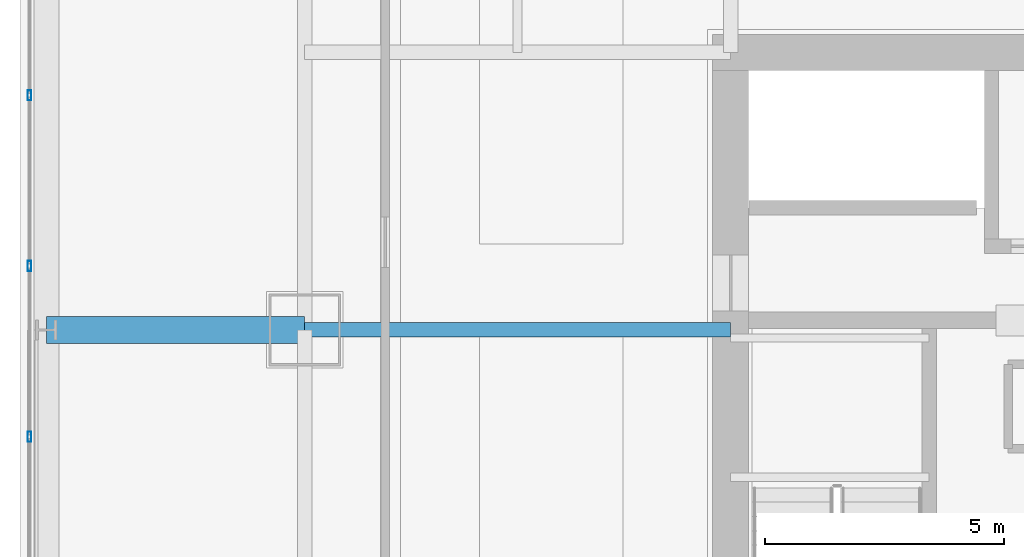
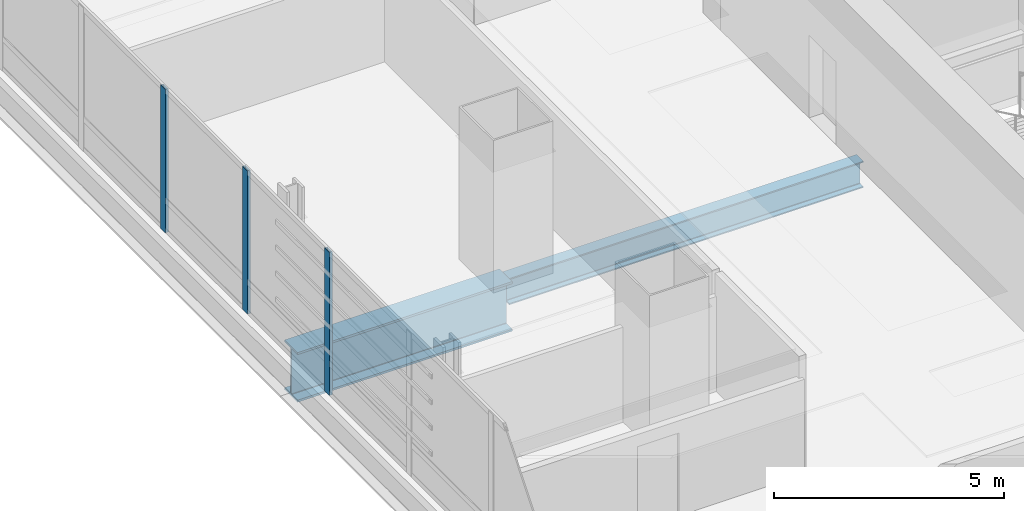
# One storey, part 11 of 36: 3 members, 2 beams, 1 element without a shape of its own.
"""IFC4 building model written with IfcOpenShell, lengths in metres."""

from ifc_helpers import new_model, si_unit, direction, frame, origin, origin_2d, place, context, subcontext, project, spatial, hollow_rectangle, i_section, extrude, material, material_profile, profile_set, type_object, element, aggregate, save


model = new_model("IFC4")

# Units and contexts
model_context = context("Model", 3, precision=1e-05, world=origin(), true_north=direction((0.0, 1.0)))
body_context = subcontext(model_context, "Body", "Model", "MODEL_VIEW")
ifc_project = project(units=[si_unit("LENGTHUNIT", "METRE"), si_unit("AREAUNIT", "SQUARE_METRE"), si_unit("VOLUMEUNIT", "CUBIC_METRE"), si_unit("PLANEANGLEUNIT", "RADIAN"), si_unit("MASSUNIT", "GRAM", prefix="KILO")], contexts=[model_context])

# Site, building, storey
site_placement = place(None, origin())
site = spatial("IfcSite", under=ifc_project, at=site_placement, CompositionType="ELEMENT")
building_placement = place(site_placement, origin())
building = spatial("IfcBuilding", under=site, at=building_placement, Name="Punatoya Terracotta Tower", CompositionType="ELEMENT")
storey_placement = place(building_placement, frame((0.0, 0.0, 32.25)))
storey = spatial("IfcBuildingStorey", under=building, at=storey_placement, Name="L06", CompositionType="ELEMENT", Elevation=32.25)

# Beams
ifc_material_1 = material(Name="Steel S355", Category="steel")
ifc_material_profile_1 = material_profile(ifc_material_1, i_section(OverallWidth=0.300048828125, OverallDepth=0.699951171875, WebThickness=0.01708984375, FlangeThickness=0.031982421875, FilletRadius=0.01806640625, at=origin_2d()))
ifc_profile_set_1 = profile_set([ifc_material_profile_1], Name="Steel S355")
beam_type_1 = type_object("IfcBeamType", Name="BM-PRI-700", PredefinedType="BEAM", material=ifc_profile_set_1)
beam_1_placement = place(storey_placement, frame((-19.10009765625, 3.39990234375, -0.590087890625), z_axis=(1.0, 0.0, 0.0), x_axis=(0.0, 1.0, 0.0)))
element("IfcBeam", 1, at=beam_1_placement, inside=storey, type_object=beam_type_1, Name="BM-L06-PR-WE", PredefinedType="BEAM", context=body_context, shape_type="SweptSolid", body=[
    extrude(i_section(OverallWidth=0.300048828125, OverallDepth=0.699951171875, WebThickness=0.01708984375, FlangeThickness=0.031982421875, FilletRadius=0.01806640625, at=origin_2d()), origin(), (0.0, 0.0, 1.0), 8.900146484375),
])
ifc_material_2 = material(Name="Steel S460", Category="steel")
ifc_material_profile_2 = material_profile(ifc_material_2, i_section(OverallWidth=0.56005859375, OverallDepth=1.320068359375, WebThickness=0.035888671875, FlangeThickness=0.054931640625, FilletRadius=0.01806640625, at=origin_2d()))
ifc_profile_set_2 = profile_set([ifc_material_profile_2], Name="Steel S460")
beam_type_2 = type_object("IfcBeamType", Name="BM-TG-BLK", PredefinedType="BEAM", material=ifc_profile_set_2)
beam_2_placement = place(storey_placement, frame((-24.5, 3.39990234375, -0.89990234375), z_axis=(1.0, 0.0, 0.0), x_axis=(0.0, 1.0, 0.0)))
element("IfcBeam", 2, at=beam_2_placement, inside=storey, type_object=beam_type_2, Name="BM-L06-CANT-W3", PredefinedType="BEAM", context=body_context, shape_type="SweptSolid", body=[
    extrude(i_section(OverallWidth=0.56005859375, OverallDepth=1.320068359375, WebThickness=0.035888671875, FlangeThickness=0.054931640625, FilletRadius=0.01806640625, at=origin_2d()), origin(), (0.0, 0.0, 1.0), 5.39990234375),
])

# Curtain wall, members
ifc_material_3 = material(Name="Aluminium 6063-T6 + Double Low-E Glass", Category="aluminium")
curtain_wall_type = type_object("IfcCurtainWallType", Name="CW-M1", PredefinedType="NOTDEFINED", material=ifc_material_3)
curtain_wall_placement = place(storey_placement, origin())
curtain_wall = element("IfcCurtainWall", 3, at=curtain_wall_placement, inside=storey, type_object=curtain_wall_type, Name="L06 Curtain Wall CW-L06-W13-1", PredefinedType="NOTDEFINED")
ifc_material_4 = material(Name="Aluminium 6063-T6", Category="aluminium")
ifc_material_profile_3 = material_profile(ifc_material_4, hollow_rectangle(XDim=0.074951171875, YDim=0.2099609375, WallThickness=0.00439453125, at=origin_2d()))
ifc_profile_set_3 = profile_set([ifc_material_profile_3], Name="Aluminium 6063-T6")
member_type = type_object("IfcMemberType", Name="CW-MUL-M1", PredefinedType="MULLION", material=ifc_profile_set_3)
member_1_placement = place(storey_placement, frame((-24.85009765625, 8.302001953125, 0.0), z_axis=(0.0, 0.0, 1.0), x_axis=(1.0, 0.0, 0.0)))
member_1 = element("IfcMember", 4, at=member_1_placement, type_object=member_type, Name="CW-L06-W13-1 Mullion 02", PredefinedType="MULLION", context=body_context, shape_type="SweptSolid", body=[
    extrude(hollow_rectangle(XDim=0.074951171875, YDim=0.2099609375, WallThickness=0.00439453125, at=origin_2d()), origin(), (0.0, 0.0, 1.0), 3.81005859375),
])
member_2_placement = place(storey_placement, frame((-24.85009765625, 4.73486328125, 0.0), z_axis=(0.0, 0.0, 1.0), x_axis=(1.0, 0.0, 0.0)))
member_2 = element("IfcMember", 5, at=member_2_placement, type_object=member_type, Name="CW-L06-W13-1 Mullion 03", PredefinedType="MULLION", context=body_context, shape_type="SweptSolid", body=[
    extrude(hollow_rectangle(XDim=0.074951171875, YDim=0.2099609375, WallThickness=0.00439453125, at=origin_2d()), origin(), (0.0, 0.0, 1.0), 3.81005859375),
])
member_3_placement = place(storey_placement, frame((-24.85009765625, 1.16748046875, 0.0), z_axis=(0.0, 0.0, 1.0), x_axis=(1.0, 0.0, 0.0)))
member_3 = element("IfcMember", 6, at=member_3_placement, type_object=member_type, Name="CW-L06-W13-1 Mullion 04", PredefinedType="MULLION", context=body_context, shape_type="SweptSolid", body=[
    extrude(hollow_rectangle(XDim=0.074951171875, YDim=0.2099609375, WallThickness=0.00439453125, at=origin_2d()), origin(), (0.0, 0.0, 1.0), 3.81005859375),
])
aggregate(curtain_wall, [member_1, member_2, member_3])

save(model, "model.ifc")
